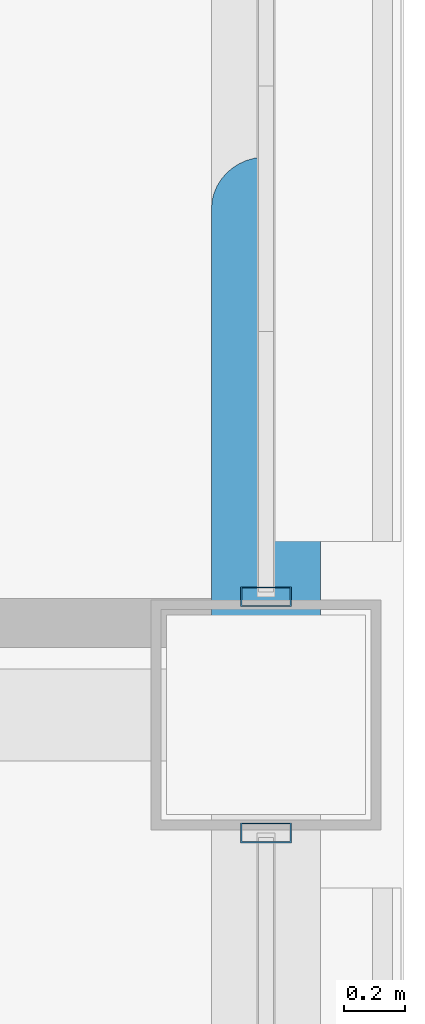
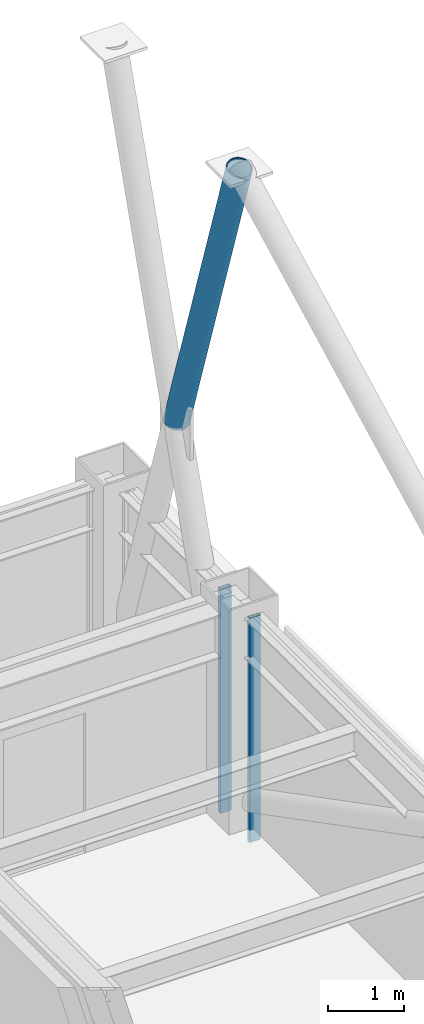
# One storey, part 19 of 32: 3 members, 2 elements without a shape of their own.
"""IFC4 building model written with IfcOpenShell, lengths in metres."""

from ifc_helpers import new_model, si_unit, direction, frame, origin, origin_2d, place, context, subcontext, project, spatial, hollow_rectangle, hollow_circle, extrude, material, layer, layer_set, material_profile, profile_set, type_object, element, aggregate, save


model = new_model("IFC4")

# Units and contexts
model_context = context("Model", 3, precision=1e-05, world=origin(), true_north=direction((0.0, 1.0)))
body_context = subcontext(model_context, "Body", "Model", "MODEL_VIEW")
ifc_project = project(units=[si_unit("LENGTHUNIT", "METRE"), si_unit("AREAUNIT", "SQUARE_METRE"), si_unit("VOLUMEUNIT", "CUBIC_METRE"), si_unit("PLANEANGLEUNIT", "RADIAN"), si_unit("MASSUNIT", "GRAM", prefix="KILO")], contexts=[model_context])

# Site, building, storey
site_placement = place(None, origin())
site = spatial("IfcSite", under=ifc_project, at=site_placement, CompositionType="ELEMENT")
building_placement = place(site_placement, origin())
building = spatial("IfcBuilding", under=site, at=building_placement, Name="Brelmoor Portico Tower", CompositionType="ELEMENT")
storey_placement = place(building_placement, frame((0.0, 0.0, 162.300048828125)))
storey = spatial("IfcBuildingStorey", under=building, at=storey_placement, Name="L42", CompositionType="ELEMENT", Elevation=162.300048828125)

# Member
ifc_material_1 = material(Name="Steel Q355B", Category="steel")
ifc_material_profile_1 = material_profile(ifc_material_1, hollow_circle(Radius=0.177978515625, WallThickness=0.01611328125, at=origin_2d()), Name="CHS 356x16")
ifc_profile_set_1 = profile_set([ifc_material_profile_1], Name="Steel Q355B")
member_type_1 = type_object("IfcMemberType", Name="MB-BELT-DIAG2", PredefinedType="BRACE", material=ifc_profile_set_1)
member_1_placement = place(storey_placement, frame((20.550048828125, 11.39990234375, 5.300048828125), z_axis=(0.0, -0.31056958402, 0.95055064751), x_axis=(1.0, 0.0, 0.0)))
element("IfcMember", 1, at=member_1_placement, inside=storey, type_object=member_type_1, Name="L42 Split Mega-X Brace 097B2", PredefinedType="BRACE", context=body_context, shape_type="SweptSolid", body=[
    extrude(hollow_circle(Radius=0.177978515625, WallThickness=0.01611328125, at=origin_2d()), origin(), (0.0, 0.0, 1.0), 5.3125),
])

# Curtain wall, member
ifc_material_2 = material(Name="Anodised Aluminium Alloy 6063-T6", Category="aluminium")
ifc_layer = layer(ifc_material_2, 0.179931640625)
ifc_layer_set = layer_set([ifc_layer], Name="Anodised Aluminium Alloy 6063-T6")
curtain_wall_type = type_object("IfcCurtainWallType", Name="CW-TOWER-Z3-XB", PredefinedType="NOTDEFINED", material=ifc_layer_set)
curtain_wall_1_placement = place(storey_placement, origin())
curtain_wall_1 = element("IfcCurtainWall", 2, at=curtain_wall_1_placement, inside=storey, type_object=curtain_wall_type, Name="L42 Curtain Wall CW-L42-04-2", PredefinedType="NOTDEFINED")
ifc_material_profile_2 = material_profile(ifc_material_2, hollow_rectangle(XDim=0.06494140625, YDim=0.1650390625, WallThickness=0.00390625, at=origin_2d()), Name="ALU MULLION 65x165")
ifc_profile_set_2 = profile_set([ifc_material_profile_2], Name="Anodised Aluminium Alloy 6063-T6")
member_type_2 = type_object("IfcMemberType", Name="MB-CW-MULL-165", PredefinedType="MULLION", material=ifc_profile_set_2)
member_2_placement = place(storey_placement, frame((20.550048828125, 9.364990234375, -0.199951171875), z_axis=(0.0, 0.0, 1.0), x_axis=(0.0, 1.0, 0.0)))
member_2 = element("IfcMember", 3, at=member_2_placement, type_object=member_type_2, Name="CW-L42-04-2 Mullion 02", PredefinedType="MULLION", context=body_context, shape_type="SweptSolid", body=[
    extrude(hollow_rectangle(XDim=0.06494140625, YDim=0.1650390625, WallThickness=0.00390625, at=origin_2d()), origin(), (0.0, 0.0, 1.0), 3.599853515625),
])
aggregate(curtain_wall_1, [member_2])

curtain_wall_2_placement = place(storey_placement, origin())
curtain_wall_2 = element("IfcCurtainWall", 4, at=curtain_wall_2_placement, inside=storey, type_object=curtain_wall_type, Name="L42 Curtain Wall CW-L42-04-3", PredefinedType="NOTDEFINED")
member_3_placement = place(storey_placement, frame((20.550048828125, 10.135009765625, -0.199951171875), z_axis=(0.0, 0.0, 1.0), x_axis=(0.0, 1.0, 0.0)))
member_3 = element("IfcMember", 5, at=member_3_placement, type_object=member_type_2, Name="CW-L42-04-3 Mullion 00", PredefinedType="MULLION", context=body_context, shape_type="SweptSolid", body=[
    extrude(hollow_rectangle(XDim=0.06494140625, YDim=0.1650390625, WallThickness=0.00390625, at=origin_2d()), origin(), (0.0, 0.0, 1.0), 3.599853515625),
])
aggregate(curtain_wall_2, [member_3])

save(model, "model.ifc")
